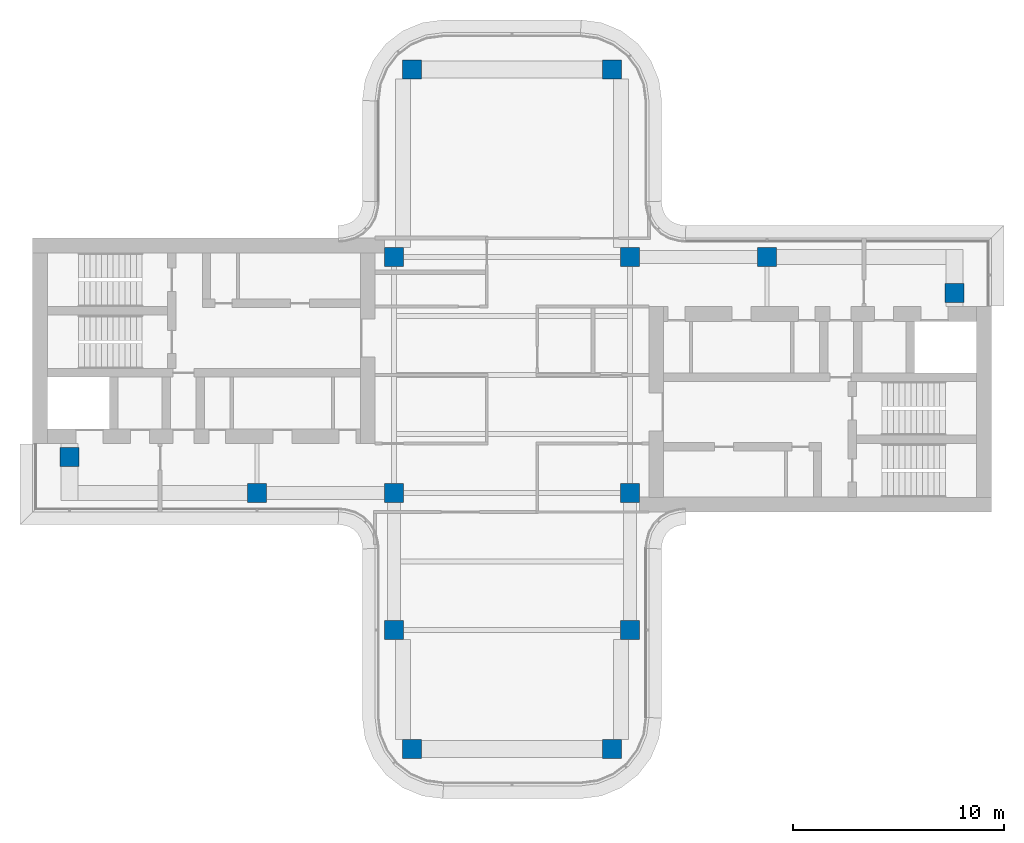
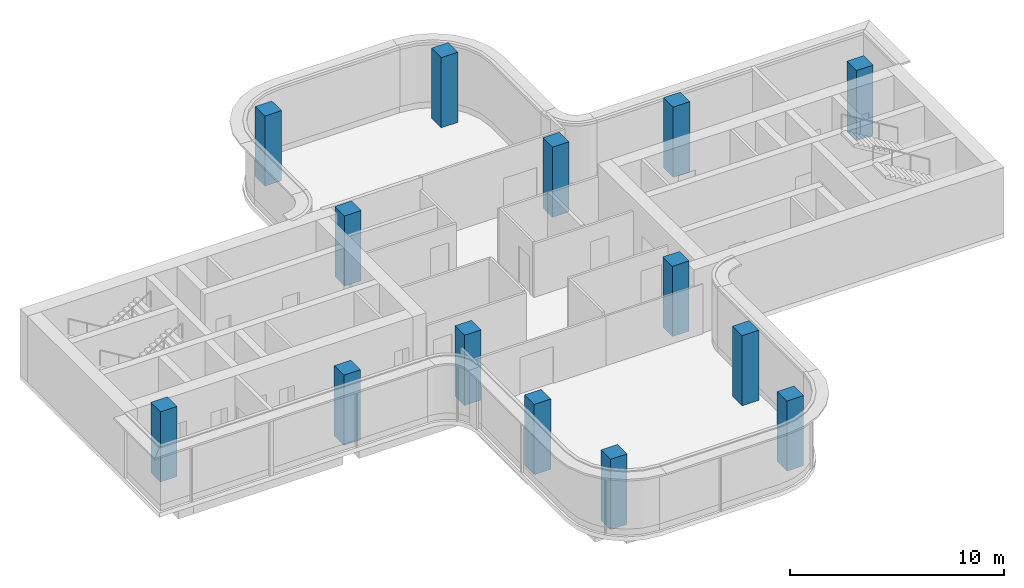
# One storey, part 1 of 11: 14 columns.
"""IFC4 building model written with IfcOpenShell, lengths in metres."""

from ifc_helpers import new_model, si_unit, direction, frame, origin, origin_2d, place, context, subcontext, project, spatial, rectangle, extrude, source, transform, mapped, material, material_profile, profile_set, type_object, element, save


model = new_model("IFC4")

# Units and contexts
model_context = context("Model", 3, precision=1e-05, world=origin(), true_north=direction((0.0, 1.0)))
body_context = subcontext(model_context, "Body", "Model", "MODEL_VIEW")
ifc_project = project(units=[si_unit("LENGTHUNIT", "METRE"), si_unit("AREAUNIT", "SQUARE_METRE"), si_unit("VOLUMEUNIT", "CUBIC_METRE"), si_unit("PLANEANGLEUNIT", "RADIAN"), si_unit("MASSUNIT", "GRAM", prefix="KILO")], contexts=[model_context])

# Site, building, storey
site_placement = place(None, origin())
site = spatial("IfcSite", under=ifc_project, at=site_placement, CompositionType="ELEMENT")
building_placement = place(site_placement, origin())
building = spatial("IfcBuilding", under=site, at=building_placement, Name="Trellis Farm Tower", CompositionType="ELEMENT")
storey_placement = place(building_placement, frame((0.0, 0.0, 342.10009765625)))
storey = spatial("IfcBuildingStorey", under=building, at=storey_placement, Name="L77", CompositionType="ELEMENT", Elevation=342.10009765625)

# Columns
ifc_material = material(Name="Concrete C50/60", Category="concrete")
ifc_material_profile = material_profile(ifc_material, rectangle(XDim=0.89990234375, YDim=0.89990234375, at=origin_2d()), Name="RC column 900x900 C50/60")
ifc_profile_set = profile_set([ifc_material_profile], Name="Concrete C50/60")
column_type = type_object("IfcColumnType", Name="RC column 900x900 C50/60", PredefinedType="COLUMN", material=ifc_profile_set)
shared_shape = source(origin(), body_context, "Body", "SweptSolid", [
    extrude(rectangle(XDim=0.89990234375, YDim=0.89990234375, at=origin_2d()), origin(), (0.0, 0.0, 1.0), 4.0),
])
for number, where, z_axis, x_axis, name in (
    (1, (12.10009765625, 5.60009765625, 0.0), (0.0, 0.0, 1.0), (1.0, 0.0, 0.0), "Column"),
    (2, (21.0, 3.89990234375, 0.0), (0.0, 0.0, 1.0), (1.0, 0.0, 0.0), "Column"),
    (3, (-4.75, 14.5, 0.0), (0.0, 0.0, 1.0), (1.0, 0.0, 0.0), "Column"),
    (4, (4.75, 14.5, 0.0), (0.0, 0.0, 1.0), (1.0, 0.0, 0.0), "Column"),
    (5, (5.60009765625, 5.60009765625, 0.0), (0.0, 0.0, 1.0), (1.0, 0.0, 0.0), "Column"),
    (6, (-5.60009765625, 5.60009765625, 0.0), (0.0, 0.0, 1.0), (1.0, 0.0, 0.0), "Column"),
    (7, (5.60009765625, -5.60009765625, 0.0), (0.0, 0.0, 1.0), (1.0, 0.0, 0.0), "Column"),
    (8, (-5.60009765625, -5.60009765625, 0.0), (0.0, 0.0, 1.0), (1.0, 0.0, 0.0), "Column"),
    (9, (5.60009765625, -12.10009765625, 0.0), (0.0, 0.0, 1.0), (1.0, 0.0, 0.0), "Column"),
    (10, (4.75, -17.75, 0.0), (0.0, 0.0, 1.0), (1.0, 0.0, 0.0), "Column"),
    (11, (-5.60009765625, -12.10009765625, 0.0), (0.0, 0.0, 1.0), (1.0, 0.0, 0.0), "Column"),
    (12, (-4.75, -17.75, 0.0), (0.0, 0.0, 1.0), (1.0, 0.0, 0.0), "Column"),
    (13, (-12.10009765625, -5.60009765625, 0.0), (0.0, 0.0, 1.0), (1.0, 0.0, 0.0), "Column"),
    (14, (-21.0, -3.89990234375, 0.0), (0.0, 0.0, 1.0), (1.0, 0.0, 0.0), "Column"),
):
    element("IfcColumn", number, at=place(storey_placement, frame(where, z_axis=z_axis, x_axis=x_axis)), inside=storey, type_object=column_type, Name=name, PredefinedType="COLUMN", context=body_context, shape_type="MappedRepresentation", body=[
        mapped(shared_shape, transform((0.0, 0.0, 0.0))),
    ])

save(model, "model.ifc")
